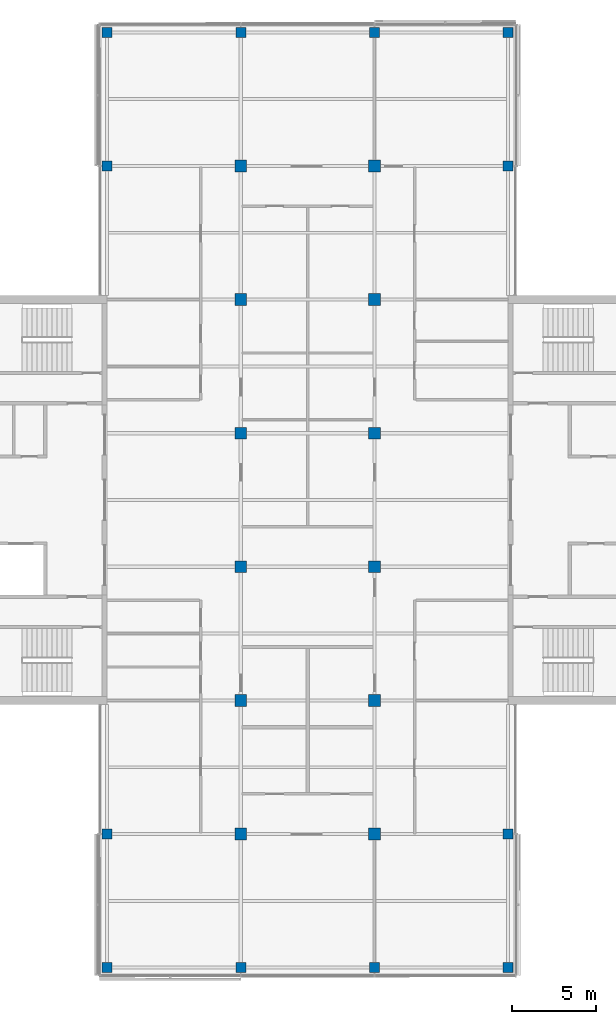
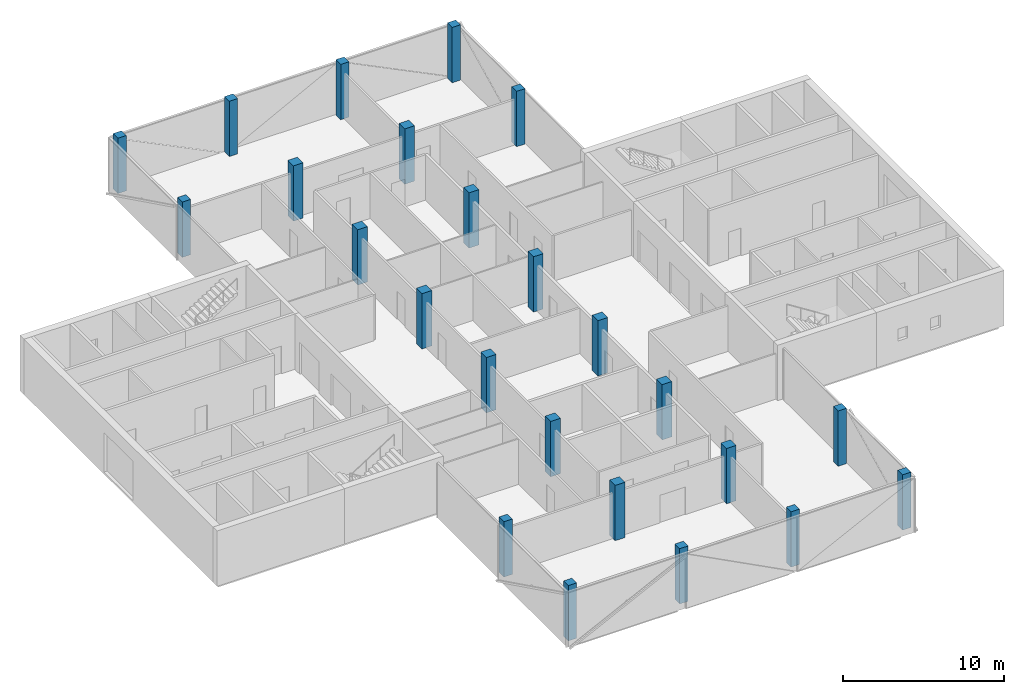
# One storey, part 1 of 16: 24 columns.
"""IFC4 building model written with IfcOpenShell, lengths in metres."""

from ifc_helpers import new_model, si_unit, direction, frame, origin, origin_2d, place, context, subcontext, project, spatial, rectangle, extrude, material, material_profile, profile_set, type_object, element, save


model = new_model("IFC4")

# Units and contexts
model_context = context("Model", 3, precision=1e-05, world=origin(), true_north=direction((0.0, 1.0)))
body_context = subcontext(model_context, "Body", "Model", "MODEL_VIEW")
ifc_project = project(units=[si_unit("LENGTHUNIT", "METRE"), si_unit("AREAUNIT", "SQUARE_METRE"), si_unit("VOLUMEUNIT", "CUBIC_METRE"), si_unit("PLANEANGLEUNIT", "RADIAN"), si_unit("MASSUNIT", "GRAM", prefix="KILO")], contexts=[model_context])

# Site, building, storey
site_placement = place(None, origin())
site = spatial("IfcSite", under=ifc_project, at=site_placement, CompositionType="ELEMENT")
building_placement = place(site_placement, origin())
building = spatial("IfcBuilding", under=site, at=building_placement, Name="Crosswind Convention Tower", CompositionType="ELEMENT")
storey_placement = place(building_placement, frame((0.0, 0.0, 278.699951171875)))
storey = spatial("IfcBuildingStorey", under=building, at=storey_placement, Name="L60", CompositionType="ELEMENT", Elevation=278.699951171875)

# Columns
ifc_material = material(Name="Concrete C60/75", Category="concrete")
ifc_material_profile_1 = material_profile(ifc_material, rectangle(XDim=0.60009765625, YDim=0.60009765625, at=origin_2d()), Name="RC 600X600")
ifc_profile_set_1 = profile_set([ifc_material_profile_1], Name="Concrete C60/75")
column_type_1 = type_object("IfcColumnType", Name="Column RC 600X600", PredefinedType="COLUMN", material=ifc_profile_set_1)
for number, where, z_axis, x_axis, name in (
    (1, (113.0, 72.0, 0.0), (0.0, 0.0, 1.0), (1.0, 0.0, 0.0), "C16 L60 5/C"),
    (2, (113.0, 80.0, 0.0), (0.0, 0.0, 1.0), (1.0, 0.0, 0.0), "C16 L60 5/D"),
    (3, (113.0, 120.0, 0.0), (0.0, 0.0, 1.0), (1.0, 0.0, 0.0), "C16 L60 5/I"),
    (4, (113.0, 128.0, 0.0), (0.0, 0.0, 1.0), (1.0, 0.0, 0.0), "C16 L60 5/J"),
    (5, (121.0, 72.0, 0.0), (0.0, 0.0, 1.0), (1.0, 0.0, 0.0), "C16 L60 6/C"),
    (6, (121.0, 128.0, 0.0), (0.0, 0.0, 1.0), (1.0, 0.0, 0.0), "C16 L60 6/J"),
    (7, (129.0, 72.0, 0.0), (0.0, 0.0, 1.0), (1.0, 0.0, 0.0), "C16 L60 7/C"),
    (8, (129.0, 128.0, 0.0), (0.0, 0.0, 1.0), (1.0, 0.0, 0.0), "C16 L60 7/J"),
    (9, (137.0, 72.0, 0.0), (0.0, 0.0, 1.0), (1.0, 0.0, 0.0), "C16 L60 8/C"),
    (10, (137.0, 80.0, 0.0), (0.0, 0.0, 1.0), (1.0, 0.0, 0.0), "C16 L60 8/D"),
    (11, (137.0, 120.0, 0.0), (0.0, 0.0, 1.0), (1.0, 0.0, 0.0), "C16 L60 8/I"),
    (12, (137.0, 128.0, 0.0), (0.0, 0.0, 1.0), (1.0, 0.0, 0.0), "C16 L60 8/J"),
):
    element("IfcColumn", number, at=place(storey_placement, frame(where, z_axis=z_axis, x_axis=x_axis)), inside=storey, type_object=column_type_1, Name=name, PredefinedType="COLUMN", context=body_context, shape_type="SweptSolid", body=[
        extrude(rectangle(XDim=0.60009765625, YDim=0.60009765625, at=origin_2d()), origin(), (0.0, 0.0, 1.0), 4.199951171875),
    ])
ifc_material_profile_2 = material_profile(ifc_material, rectangle(XDim=0.699951171875, YDim=0.699951171875, at=origin_2d()), Name="RC 700X700")
ifc_profile_set_2 = profile_set([ifc_material_profile_2], Name="Concrete C60/75")
column_type_2 = type_object("IfcColumnType", Name="Column RC 700X700", PredefinedType="COLUMN", material=ifc_profile_set_2)
for number, where, z_axis, x_axis, name in (
    (13, (121.0, 80.0, 0.0), (0.0, 0.0, 1.0), (1.0, 0.0, 0.0), "C15 L60 6/D"),
    (14, (121.0, 88.0, 0.0), (0.0, 0.0, 1.0), (1.0, 0.0, 0.0), "C15 L60 6/E"),
    (15, (121.0, 96.0, 0.0), (0.0, 0.0, 1.0), (1.0, 0.0, 0.0), "C15 L60 6/F"),
    (16, (121.0, 104.0, 0.0), (0.0, 0.0, 1.0), (1.0, 0.0, 0.0), "C15 L60 6/G"),
    (17, (121.0, 112.0, 0.0), (0.0, 0.0, 1.0), (1.0, 0.0, 0.0), "C15 L60 6/H"),
    (18, (121.0, 120.0, 0.0), (0.0, 0.0, 1.0), (1.0, 0.0, 0.0), "C15 L60 6/I"),
    (19, (129.0, 80.0, 0.0), (0.0, 0.0, 1.0), (1.0, 0.0, 0.0), "C15 L60 7/D"),
    (20, (129.0, 88.0, 0.0), (0.0, 0.0, 1.0), (1.0, 0.0, 0.0), "C15 L60 7/E"),
    (21, (129.0, 96.0, 0.0), (0.0, 0.0, 1.0), (1.0, 0.0, 0.0), "C15 L60 7/F"),
    (22, (129.0, 104.0, 0.0), (0.0, 0.0, 1.0), (1.0, 0.0, 0.0), "C15 L60 7/G"),
    (23, (129.0, 112.0, 0.0), (0.0, 0.0, 1.0), (1.0, 0.0, 0.0), "C15 L60 7/H"),
    (24, (129.0, 120.0, 0.0), (0.0, 0.0, 1.0), (1.0, 0.0, 0.0), "C15 L60 7/I"),
):
    element("IfcColumn", number, at=place(storey_placement, frame(where, z_axis=z_axis, x_axis=x_axis)), inside=storey, type_object=column_type_2, Name=name, PredefinedType="COLUMN", context=body_context, shape_type="SweptSolid", body=[
        extrude(rectangle(XDim=0.699951171875, YDim=0.699951171875, at=origin_2d()), origin(), (0.0, 0.0, 1.0), 4.199951171875),
    ])

save(model, "model.ifc")
